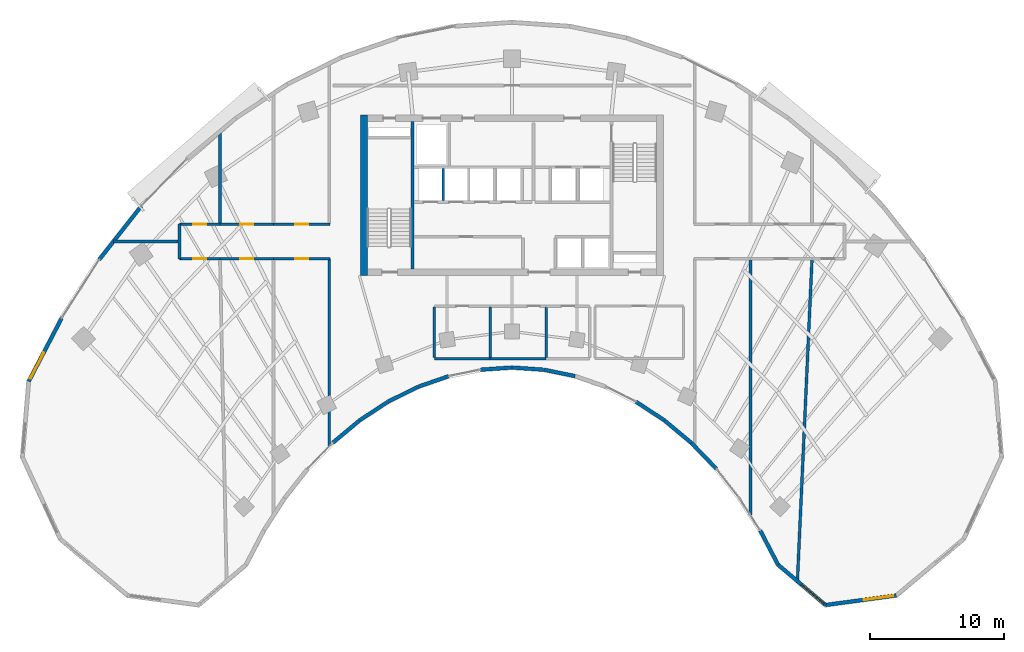
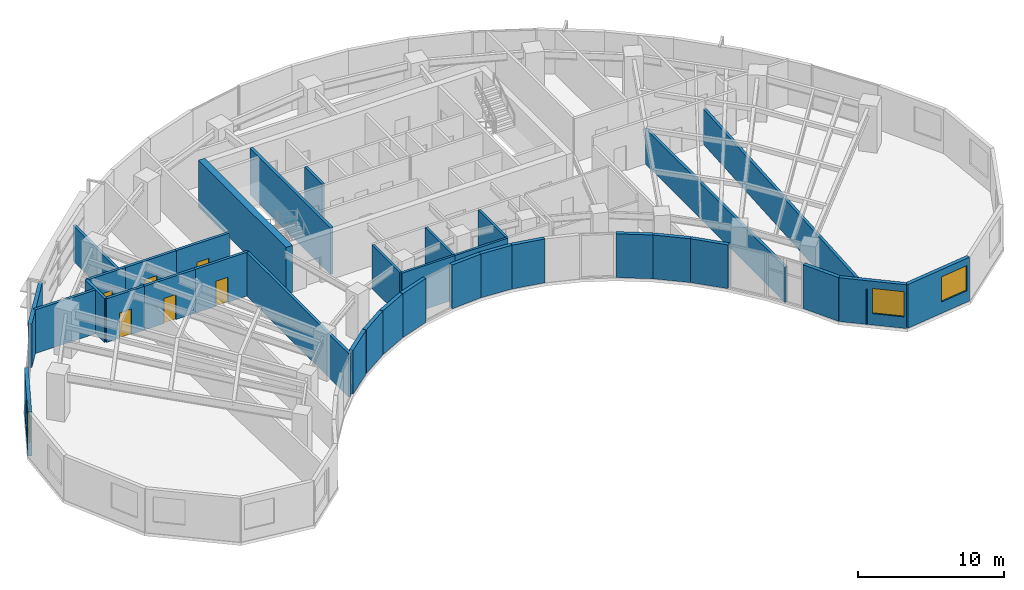
# One storey, part 8 of 14: 35 walls, 6 doors, 3 windows, 9 openings.
"""IFC4 building model written with IfcOpenShell, lengths in metres."""

from ifc_helpers import new_model, si_unit, direction, frame, frame_2d, origin, place, context, subcontext, project, spatial, rectangle, extrude, source, transform, mapped, material, layer, layer_set, type_object, type_shapes, element, fill, save


model = new_model("IFC4")

# Units and contexts
model_context = context("Model", 3, precision=1e-05, world=origin(), true_north=direction((0.0, 1.0)))
body_context = subcontext(model_context, "Body", "Model", "MODEL_VIEW")
ifc_project = project(units=[si_unit("LENGTHUNIT", "METRE"), si_unit("AREAUNIT", "SQUARE_METRE"), si_unit("VOLUMEUNIT", "CUBIC_METRE"), si_unit("PLANEANGLEUNIT", "RADIAN"), si_unit("MASSUNIT", "GRAM", prefix="KILO")], contexts=[model_context])

# Site, building, storey
site_placement = place(None, origin())
site = spatial("IfcSite", under=ifc_project, at=site_placement, CompositionType="ELEMENT")
building_placement = place(site_placement, origin())
building = spatial("IfcBuilding", under=site, at=building_placement, Name="Breltana Convention Tower", CompositionType="ELEMENT")
storey_placement = place(building_placement, frame((0.0, 0.0, 131.10009765625)))
storey = spatial("IfcBuildingStorey", under=building, at=storey_placement, Name="L31", CompositionType="ELEMENT", Elevation=131.10009765625)

# Walls
ifc_material_1 = material(Name="Concrete C60/75", Category="concrete")
ifc_layer_1 = layer(ifc_material_1, 0.5, Name="Concrete C60/75")
ifc_layer_set_1 = layer_set([ifc_layer_1], Name="Concrete C60/75")
wall_type_1 = type_object("IfcWallType", Name="SW-CORE-500", PredefinedType="SHEAR", material=ifc_layer_set_1)
shared_shape_1 = source(origin(), body_context, "Body", "SweptSolid", [
    extrude(rectangle(XDim=12.0, YDim=0.5, at=frame_2d((6.0, 0.0))), origin(), (0.0, 0.0, 1.0), 3.89990234375),
])
wall_1_placement = place(storey_placement, frame((36.949951171875, 60.199951171875, 0.0), z_axis=(0.0, 0.0, 1.0), x_axis=(0.0, 1.0, 0.0)))
element("IfcWall", 1, at=wall_1_placement, inside=storey, type_object=wall_type_1, Name="L31 West Core Shear Wall", PredefinedType="SHEAR", context=body_context, shape_type="MappedRepresentation", body=[
    mapped(shared_shape_1, transform((0.0, 0.0, 0.0), scale=1.0)),
])
ifc_material_2 = material(Name="Concrete C50/60", Category="concrete")
ifc_layer_2 = layer(ifc_material_2, 0.39990234375, Name="Concrete C50/60")
ifc_layer_set_2 = layer_set([ifc_layer_2], Name="Concrete C50/60")
wall_type_2 = type_object("IfcWallType", Name="SW-CORE-400", PredefinedType="SHEAR", material=ifc_layer_set_2)
shared_shape_2 = source(origin(), body_context, "Body", "SweptSolid", [
    extrude(rectangle(XDim=11.0, YDim=0.219970703125, at=frame_2d((5.5, 0.0))), origin(), (0.0, 0.0, 1.0), 3.89990234375),
])
wall_2_placement = place(storey_placement, frame((40.580078125, 60.699951171875, 0.0), z_axis=(0.0, 0.0, 1.0), x_axis=(0.0, 1.0, 0.0)))
element("IfcWall", 2, at=wall_2_placement, inside=storey, type_object=wall_type_2, Name="L31 Core West Stair Spine Wall", PredefinedType="SHEAR", context=body_context, shape_type="MappedRepresentation", body=[
    mapped(shared_shape_2, transform((0.0, 0.0, 0.0), scale=1.0)),
])

# Wall, opening, window
ifc_material_3 = material(Name="Limestone Buff Insulated Wall", Category="masonry")
ifc_layer_3 = layer(ifc_material_3, 0.280029296875, Name="Limestone Buff Insulated Wall")
ifc_layer_set_3 = layer_set([ifc_layer_3], Name="Limestone Buff Insulated Wall")
wall_type_3 = type_object("IfcWallType", Name="WL-EXT-NOSE-280", PredefinedType="SOLIDWALL", material=ifc_layer_set_3)
shared_shape_3 = source(origin(), body_context, "Body", "SweptSolid", [
    extrude(rectangle(XDim=5.32373046875, YDim=0.280029296875, at=frame_2d((2.661865234375, 0.0))), origin(), (0.0, 0.0, 1.0), 3.64990234375),
])
wall_3_placement = place(storey_placement, frame((76.685791015625, 36.321533203125, 0.0), z_axis=(0.0, 0.0, 1.0), x_axis=(-0.990931467223, -0.134368252451, 0.0)))
wall_3 = element("IfcWall", 3, at=wall_3_placement, inside=storey, type_object=wall_type_3, Name="L31 curved limestone nose wall E4", PredefinedType="SOLIDWALL", context=body_context, shape_type="MappedRepresentation", body=[
    mapped(shared_shape_3, transform((0.0, 0.0, 0.0), scale=1.0)),
])
opening_1_placement = place(wall_3_placement, frame((0.23095703125, 0.0, 0.949951171875)))
opening_1 = element("IfcOpeningElement", 4, at=opening_1_placement, cuts=wall_3, Name="Opening W-03", PredefinedType="OPENING", context=body_context, shape_type="SweptSolid", body=[
    extrude(rectangle(XDim=2.199951171875, YDim=2.10009765625, at=frame_2d((1.10009765625, 1.050048828125))), frame((0.0, 0.14990234375, 0.0), z_axis=(0.0, -1.0, 0.0), x_axis=(1.0, 0.0, 0.0)), (0.0, 0.0, 1.0), 0.300048828125),
])
ifc_material_4 = material(Name="Glass Low-E Insulated Window", Category="glass")
window_type = type_object("IfcWindowType", Name="WN-NOSE-2200X2100", PartitioningType="TRIPLE_PANEL_VERTICAL", PredefinedType="WINDOW", material=ifc_material_4)
shared_shape_4 = source(origin(), body_context, "Body", "SweptSolid", [
    extrude(rectangle(XDim=2.199951171875, YDim=2.10009765625, at=frame_2d((1.10009765625, 1.050048828125))), frame((0.0, 0.030029296875, 0.0), z_axis=(0.0, -1.0, 0.0), x_axis=(1.0, 0.0, 0.0)), (0.0, 0.0, 1.0), 0.06005859375),
])
type_shapes(window_type, [shared_shape_4])
window_1_placement = place(opening_1_placement, origin())
window_1 = element("IfcWindow", 5, at=window_1_placement, inside=storey, type_object=window_type, Name="L31 nose window E4", OverallHeight=2.10009765625, OverallWidth=2.199951171875, PartitioningType="TRIPLE_PANEL_VERTICAL", PredefinedType="WINDOW", context=body_context, shape_type="MappedRepresentation", body=[
    mapped(shared_shape_4, transform((0.0, 0.0, 0.0), scale=1.0)),
])
fill(opening_1, window_1)

shared_shape_5 = source(origin(), body_context, "Body", "SweptSolid", [
    extrude(rectangle(XDim=4.6591796875, YDim=0.280029296875, at=frame_2d((2.32958984375, 0.0))), origin(), (0.0, 0.0, 1.0), 3.64990234375),
])
wall_4_placement = place(storey_placement, frame((71.410400390625, 35.606201171875, 0.0), z_axis=(0.0, 0.0, 1.0), x_axis=(-0.761913458795, 0.647678841176, 0.0)))
wall_4 = element("IfcWall", 6, at=wall_4_placement, inside=storey, type_object=wall_type_3, Name="L31 curved limestone nose wall E5", PredefinedType="SOLIDWALL", context=body_context, shape_type="MappedRepresentation", body=[
    mapped(shared_shape_5, transform((0.0, 0.0, 0.0), scale=1.0)),
])
opening_2_placement = place(wall_4_placement, frame((0.159912109375, 0.0, 0.949951171875)))
opening_2 = element("IfcOpeningElement", 7, at=opening_2_placement, cuts=wall_4, Name="Opening W-03", PredefinedType="OPENING", context=body_context, shape_type="SweptSolid", body=[
    extrude(rectangle(XDim=2.199951171875, YDim=2.10009765625, at=frame_2d((1.10009765625, 1.050048828125))), frame((0.0, 0.14990234375, 0.0), z_axis=(0.0, -1.0, 0.0), x_axis=(1.0, 0.0, 0.0)), (0.0, 0.0, 1.0), 0.300048828125),
])
window_2_placement = place(opening_2_placement, origin())
window_2 = element("IfcWindow", 8, at=window_2_placement, inside=storey, type_object=window_type, Name="L31 nose window E5", OverallHeight=2.10009765625, OverallWidth=2.199951171875, PartitioningType="TRIPLE_PANEL_VERTICAL", PredefinedType="WINDOW", context=body_context, shape_type="MappedRepresentation", body=[
    mapped(shared_shape_4, transform((0.0, 0.0, 0.0), scale=1.0)),
])
fill(opening_2, window_2)

# Walls
shared_shape_6 = source(origin(), body_context, "Body", "SweptSolid", [
    extrude(rectangle(XDim=2.8798828125, YDim=0.280029296875, at=frame_2d((1.43994140625, 0.0))), origin(), (0.0, 0.0, 1.0), 3.64990234375),
])
wall_5_placement = place(storey_placement, frame((67.860595703125, 38.623779296875, 0.0), z_axis=(0.0, 0.0, 1.0), x_axis=(-0.461769086658, 0.887000175088, 0.0)))
element("IfcWall", 9, at=wall_5_placement, inside=storey, type_object=wall_type_3, Name="L31 curved limestone nose wall E6", PredefinedType="SOLIDWALL", context=body_context, shape_type="MappedRepresentation", body=[
    mapped(shared_shape_6, transform((0.0, 0.0, 0.0), scale=1.0)),
])
shared_shape_7 = source(origin(), body_context, "Body", "SweptSolid", [
    extrude(rectangle(XDim=2.679931640625, YDim=0.280029296875, at=frame_2d((1.33984375, 0.0))), origin(), (0.0, 0.0, 1.0), 3.64990234375),
])
wall_6_placement = place(storey_placement, frame((63.260009765625, 45.780029296875, 0.0), z_axis=(0.0, 0.0, 1.0), x_axis=(-0.694561996568, 0.719432855049, 0.0)))
element("IfcWall", 10, at=wall_6_placement, inside=storey, type_object=wall_type_3, Name="L31 curved limestone nose wall E7", PredefinedType="SOLIDWALL", context=body_context, shape_type="MappedRepresentation", body=[
    mapped(shared_shape_7, transform((0.0, 0.0, 0.0), scale=1.0)),
])
shared_shape_8 = source(origin(), body_context, "Body", "SweptSolid", [
    extrude(rectangle(XDim=2.600830078125, YDim=0.280029296875, at=frame_2d((1.30029296875, 0.0))), origin(), (0.0, 0.0, 1.0), 3.64990234375),
])
for number, where, z_axis, x_axis, name in (
    (11, (61.384521484375, 47.72119140625, 0.0), (0.0, 0.0, 1.0), (-0.76796730295, 0.640489048775, 0.0), "L31 curved limestone nose wall E8"),
    (12, (36.61279296875, 49.386962890625, 0.0), (0.0, 0.0, 1.0), (-0.76796730295, -0.640489048775, 0.0), "L31 curved limestone nose wall E17"),
):
    element("IfcWall", number, at=place(storey_placement, frame(where, z_axis=z_axis, x_axis=x_axis)), inside=storey, type_object=wall_type_3, Name=name, PredefinedType="SOLIDWALL", context=body_context, shape_type="MappedRepresentation", body=[
        mapped(shared_shape_8, transform((0.0, 0.0, 0.0), scale=1.0)),
    ])
shared_shape_9 = source(origin(), body_context, "Body", "SweptSolid", [
    extrude(rectangle(XDim=2.46240234375, YDim=0.280029296875, at=frame_2d((1.231201171875, 0.0))), origin(), (0.0, 0.0, 1.0), 3.64990234375),
])
wall_7_placement = place(storey_placement, frame((40.96728515625, 51.890625, 0.0), z_axis=(0.0, 0.0, 1.0), x_axis=(-0.8959882207, -0.444077817917, 0.0)))
element("IfcWall", 13, at=wall_7_placement, inside=storey, type_object=wall_type_3, Name="L31 curved limestone nose wall E15", PredefinedType="SOLIDWALL", context=body_context, shape_type="MappedRepresentation", body=[
    mapped(shared_shape_9, transform((0.0, 0.0, 0.0), scale=1.0)),
])
shared_shape_10 = source(origin(), body_context, "Body", "SweptSolid", [
    extrude(rectangle(XDim=2.41064453125, YDim=0.280029296875, at=frame_2d((1.205322265625, 0.0))), origin(), (0.0, 0.0, 1.0), 3.64990234375),
])
wall_8_placement = place(storey_placement, frame((43.26611328125, 52.688720703125, 0.0), z_axis=(0.0, 0.0, 1.0), x_axis=(-0.944880068161, -0.327416640982, 0.0)))
element("IfcWall", 14, at=wall_8_placement, inside=storey, type_object=wall_type_3, Name="L31 curved limestone nose wall E14", PredefinedType="SOLIDWALL", context=body_context, shape_type="MappedRepresentation", body=[
    mapped(shared_shape_10, transform((0.0, 0.0, 0.0), scale=1.0)),
])
shared_shape_11 = source(origin(), body_context, "Body", "SweptSolid", [
    extrude(rectangle(XDim=2.373779296875, YDim=0.280029296875, at=frame_2d((1.18701171875, 0.0))), origin(), (0.0, 0.0, 1.0), 3.64990234375),
])
wall_9_placement = place(storey_placement, frame((52.711181640625, 52.695068359375, 0.0), z_axis=(0.0, 0.0, 1.0), x_axis=(-0.979619827472, 0.200860632341, 0.0)))
element("IfcWall", 15, at=wall_9_placement, inside=storey, type_object=wall_type_3, Name="L31 curved limestone nose wall E11", PredefinedType="SOLIDWALL", context=body_context, shape_type="MappedRepresentation", body=[
    mapped(shared_shape_11, transform((0.0, 0.0, 0.0), scale=1.0)),
])
shared_shape_12 = source(origin(), body_context, "Body", "SweptSolid", [
    extrude(rectangle(XDim=2.35498046875, YDim=0.280029296875, at=frame_2d((1.177490234375, 0.0))), origin(), (0.0, 0.0, 1.0), 3.64990234375),
])
for number, where, z_axis, x_axis, name in (
    (16, (50.36181640625, 53.175048828125, 0.0), (0.0, 0.0, 1.0), (-0.997699017577, 0.067798748701, 0.0), "L31 curved limestone nose wall E12"),
    (17, (47.98779296875, 53.334716796875, 0.0), (0.0, 0.0, 1.0), (-0.997699017577, -0.067798748701, 0.0), "L31 curved limestone nose wall E13"),
):
    element("IfcWall", number, at=place(storey_placement, frame(where, z_axis=z_axis, x_axis=x_axis)), inside=storey, type_object=wall_type_3, Name=name, PredefinedType="SOLIDWALL", context=body_context, shape_type="MappedRepresentation", body=[
        mapped(shared_shape_12, transform((0.0, 0.0, 0.0), scale=1.0)),
    ])
shared_shape_13 = source(origin(), body_context, "Body", "SweptSolid", [
    extrude(rectangle(XDim=2.52734375, YDim=0.280029296875, at=frame_2d((1.263671875, 0.0))), origin(), (0.0, 0.0, 1.0), 3.64990234375),
])
for number, where, z_axis, x_axis, name in (
    (18, (59.37060546875, 49.3994140625, 0.0), (0.0, 0.0, 1.0), (-0.836011905051, 0.548711303523, 0.0), "L31 curved limestone nose wall E9"),
    (19, (38.7421875, 50.7861328125, 0.0), (0.0, 0.0, 1.0), (-0.836011905051, -0.548711303523, 0.0), "L31 curved limestone nose wall E16"),
):
    element("IfcWall", number, at=place(storey_placement, frame(where, z_axis=z_axis, x_axis=x_axis)), inside=storey, type_object=wall_type_3, Name=name, PredefinedType="SOLIDWALL", context=body_context, shape_type="MappedRepresentation", body=[
        mapped(shared_shape_13, transform((0.0, 0.0, 0.0), scale=1.0)),
    ])

# Wall, opening, window
shared_shape_14 = source(origin(), body_context, "Body", "SweptSolid", [
    extrude(rectangle(XDim=5.315185546875, YDim=0.280029296875, at=frame_2d((2.65771484375, 0.0))), origin(), (0.0, 0.0, 1.0), 3.64990234375),
])
wall_10_placement = place(storey_placement, frame((11.92236328125, 52.305419921875, 0.0), z_axis=(0.0, 0.0, 1.0), x_axis=(0.461760527822, 0.887004630735, 0.0)))
wall_10 = element("IfcWall", 20, at=wall_10_placement, inside=storey, type_object=wall_type_3, Name="L31 curved limestone nose wall W7", PredefinedType="SOLIDWALL", context=body_context, shape_type="MappedRepresentation", body=[
    mapped(shared_shape_14, transform((0.0, 0.0, 0.0), scale=1.0)),
])
opening_3_placement = place(wall_10_placement, frame((0.228759765625, 0.0, 0.949951171875)))
opening_3 = element("IfcOpeningElement", 21, at=opening_3_placement, cuts=wall_10, Name="Opening W-03", PredefinedType="OPENING", context=body_context, shape_type="SweptSolid", body=[
    extrude(rectangle(XDim=2.199951171875, YDim=2.10009765625, at=frame_2d((1.10009765625, 1.050048828125))), frame((0.0, 0.14990234375, 0.0), z_axis=(0.0, -1.0, 0.0), x_axis=(1.0, 0.0, 0.0)), (0.0, 0.0, 1.0), 0.300048828125),
])
window_3_placement = place(opening_3_placement, origin())
window_3 = element("IfcWindow", 22, at=window_3_placement, inside=storey, type_object=window_type, Name="L31 nose window W7", OverallHeight=2.10009765625, OverallWidth=2.199951171875, PartitioningType="TRIPLE_PANEL_VERTICAL", PredefinedType="WINDOW", context=body_context, shape_type="MappedRepresentation", body=[
    mapped(shared_shape_4, transform((0.0, 0.0, 0.0), scale=1.0)),
])
fill(opening_3, window_3)

# Walls
shared_shape_15 = source(origin(), body_context, "Body", "SweptSolid", [
    extrude(rectangle(XDim=5.05810546875, YDim=0.280029296875, at=frame_2d((2.529052734375, 0.0))), origin(), (0.0, 0.0, 1.0), 3.64990234375),
])
wall_11_placement = place(storey_placement, frame((17.1884765625, 61.400390625, 0.0), z_axis=(0.0, 0.0, 1.0), x_axis=(0.618145507434, 0.786063694391, 0.0)))
element("IfcWall", 23, at=wall_11_placement, inside=storey, type_object=wall_type_3, Name="L31 curved limestone nose wall E20", PredefinedType="SOLIDWALL", context=body_context, shape_type="MappedRepresentation", body=[
    mapped(shared_shape_15, transform((0.0, 0.0, 0.0), scale=1.0)),
])
ifc_material_5 = material(Name="Autoclaved Aerated Concrete Block", Category="concrete")
ifc_layer_4 = layer(ifc_material_5, 0.199951171875, Name="Autoclaved Aerated Concrete Block")
ifc_layer_set_4 = layer_set([ifc_layer_4], Name="Autoclaved Aerated Concrete Block")
wall_type_4 = type_object("IfcWallType", Name="WL-SHAFT-200", PredefinedType="SOLIDWALL", material=ifc_layer_set_4)
shared_shape_16 = source(origin(), body_context, "Body", "SweptSolid", [
    extrude(rectangle(XDim=2.39990234375, YDim=0.199951171875, at=frame_2d((1.199951171875, 0.0))), origin(), (0.0, 0.0, 1.0), 3.64990234375),
])
wall_12_placement = place(storey_placement, frame((42.8701171875, 65.800048828125, 0.0), z_axis=(0.0, 0.0, 1.0), x_axis=(0.0, 1.0, 0.0)))
element("IfcWall", 24, at=wall_12_placement, inside=storey, type_object=wall_type_4, Name="L31 interior partition W-L31-SH-M-DIV1", PredefinedType="SOLIDWALL", context=body_context, shape_type="MappedRepresentation", body=[
    mapped(shared_shape_16, transform((0.0, 0.0, 0.0), scale=1.0)),
])
ifc_material_6 = material(Name="Cement Board Wet-Area Partition")
ifc_layer_5 = layer(ifc_material_6, 0.175048828125, Name="Cement Board Wet-Area Partition")
ifc_layer_set_5 = layer_set([ifc_layer_5], Name="Cement Board Wet-Area Partition")
wall_type_5 = type_object("IfcWallType", Name="WL-WET-175", PredefinedType="PARTITIONING", material=ifc_layer_set_5)
shared_shape_17 = source(origin(), body_context, "Body", "SweptSolid", [
    extrude(rectangle(XDim=4.176025390625, YDim=0.175048828125, at=frame_2d((2.087890625, 0.0))), origin(), (0.0, 0.0, 1.0), 3.64990234375),
])
for number, where, z_axis, x_axis, name in (
    (25, (42.199951171875, 54.0, 0.0), (0.0, 0.0, 1.0), (1.0, 0.0, 0.0), "L31 interior partition W-L31-WCM-S"),
    (26, (46.3759765625, 54.0, 0.0), (0.0, 0.0, 1.0), (1.0, 0.0, 0.0), "L31 interior partition W-L31-WCF-S"),
):
    element("IfcWall", number, at=place(storey_placement, frame(where, z_axis=z_axis, x_axis=x_axis)), inside=storey, type_object=wall_type_5, Name=name, PredefinedType="PARTITIONING", context=body_context, shape_type="MappedRepresentation", body=[
        mapped(shared_shape_17, transform((0.0, 0.0, 0.0), scale=1.0)),
    ])
shared_shape_18 = source(origin(), body_context, "Body", "SweptSolid", [
    extrude(rectangle(XDim=3.7626953125, YDim=0.175048828125, at=frame_2d((1.88134765625, 0.0))), origin(), (0.0, 0.0, 1.0), 3.64990234375),
])
for number, where, z_axis, x_axis, name in (
    (27, (42.199951171875, 54.07861328125, 0.0), (0.0, 0.0, 1.0), (0.0, 1.0, 0.0), "L31 interior partition W-L31-WCM-W"),
    (28, (46.3759765625, 54.07861328125, 0.0), (0.0, 0.0, 1.0), (0.0, 1.0, 0.0), "L31 interior partition W-L31-WCM-E"),
    (29, (50.552001953125, 54.07861328125, 0.0), (0.0, 0.0, 1.0), (0.0, 1.0, 0.0), "L31 interior partition W-L31-WCF-E"),
):
    element("IfcWall", number, at=place(storey_placement, frame(where, z_axis=z_axis, x_axis=x_axis)), inside=storey, type_object=wall_type_5, Name=name, PredefinedType="PARTITIONING", context=body_context, shape_type="MappedRepresentation", body=[
        mapped(shared_shape_18, transform((0.0, 0.0, 0.0), scale=1.0)),
    ])

# Wall, opening, door
ifc_material_7 = material(Name="Autoclaved Aerated Masonry Blockwork", Category="masonry")
ifc_layer_6 = layer(ifc_material_7, 0.2099609375, Name="Autoclaved Aerated Masonry Blockwork")
ifc_layer_set_6 = layer_set([ifc_layer_6], Name="Autoclaved Aerated Masonry Blockwork")
wall_type_6 = type_object("IfcWallType", Name="WL-PART-200", PredefinedType="PARTITIONING", material=ifc_layer_set_6)
shared_shape_19 = source(origin(), body_context, "Body", "SweptSolid", [
    extrude(rectangle(XDim=3.02001953125, YDim=0.2099609375, at=frame_2d((1.510009765625, 0.0))), origin(), (0.0, 0.0, 1.0), 3.64990234375),
])
wall_13_placement = place(storey_placement, frame((23.179931640625, 64.0400390625, 0.0), z_axis=(0.0, 0.0, 1.0), x_axis=(1.0, 0.0, 0.0)))
wall_13 = element("IfcWall", 30, at=wall_13_placement, inside=storey, type_object=wall_type_6, Name="L31 interior partition W-L31-ZWN1-D", PredefinedType="PARTITIONING", context=body_context, shape_type="MappedRepresentation", body=[
    mapped(shared_shape_19, transform((0.0, 0.0, 0.0), scale=1.0)),
])
opening_4_placement = place(wall_13_placement, frame((1.034912109375, 0.0, 0.0)))
opening_4 = element("IfcOpeningElement", 31, at=opening_4_placement, cuts=wall_13, Name="Opening D-17", PredefinedType="OPENING", context=body_context, shape_type="SweptSolid", body=[
    extrude(rectangle(XDim=0.949951171875, YDim=2.10009765625, at=frame_2d((0.47509765625, 1.050048828125))), frame((0.0, 0.114990234375, 0.0), z_axis=(0.0, -1.0, 0.0), x_axis=(1.0, 0.0, 0.0)), (0.0, 0.0, 1.0), 0.22998046875),
])
ifc_material_8 = material(Name="Timber Oak Veneer Door", Category="wood")
door_type = type_object("IfcDoorType", Name="DR-INT-950", OperationType="NOTDEFINED", PredefinedType="DOOR", material=ifc_material_8)
shared_shape_20 = source(origin(), body_context, "Body", "SweptSolid", [
    extrude(rectangle(XDim=0.949951171875, YDim=2.10009765625, at=frame_2d((0.47509765625, 1.050048828125))), frame((0.0, 0.02490234375, 0.0), z_axis=(0.0, -1.0, 0.0), x_axis=(1.0, 0.0, 0.0)), (0.0, 0.0, 1.0), 0.050048828125),
])
type_shapes(door_type, [shared_shape_20])
door_1_placement = place(opening_4_placement, origin())
door_1 = element("IfcDoor", 32, at=door_1_placement, inside=storey, type_object=door_type, Name="L31 interior door D-L31-ZWN1", OperationType="SINGLE_SWING_RIGHT", OverallHeight=2.10009765625, OverallWidth=0.949951171875, PredefinedType="DOOR", context=body_context, shape_type="MappedRepresentation", body=[
    mapped(shared_shape_20, transform((0.0, 0.0, 0.0), scale=1.0)),
])
fill(opening_4, door_1)

wall_14_placement = place(storey_placement, frame((23.179931640625, 61.4599609375, 0.0), z_axis=(0.0, 0.0, 1.0), x_axis=(1.0, 0.0, 0.0)))
wall_14 = element("IfcWall", 33, at=wall_14_placement, inside=storey, type_object=wall_type_6, Name="L31 interior partition W-L31-ZWS1-D", PredefinedType="PARTITIONING", context=body_context, shape_type="MappedRepresentation", body=[
    mapped(shared_shape_19, transform((0.0, 0.0, 0.0), scale=1.0)),
])
opening_5_placement = place(wall_14_placement, frame((1.034912109375, 0.0, 0.0)))
opening_5 = element("IfcOpeningElement", 34, at=opening_5_placement, cuts=wall_14, Name="Opening D-17", PredefinedType="OPENING", context=body_context, shape_type="SweptSolid", body=[
    extrude(rectangle(XDim=0.949951171875, YDim=2.10009765625, at=frame_2d((0.47509765625, 1.050048828125))), frame((0.0, 0.114990234375, 0.0), z_axis=(0.0, -1.0, 0.0), x_axis=(1.0, 0.0, 0.0)), (0.0, 0.0, 1.0), 0.22998046875),
])
door_2_placement = place(opening_5_placement, origin())
door_2 = element("IfcDoor", 35, at=door_2_placement, inside=storey, type_object=door_type, Name="L31 interior door D-L31-ZWS1", OperationType="SINGLE_SWING_LEFT", OverallHeight=2.10009765625, OverallWidth=0.949951171875, PredefinedType="DOOR", context=body_context, shape_type="MappedRepresentation", body=[
    mapped(shared_shape_20, transform((0.0, 0.0, 0.0), scale=1.0)),
])
fill(opening_5, door_2)

# Wall
shared_shape_21 = source(origin(), body_context, "Body", "SweptSolid", [
    extrude(rectangle(XDim=6.89892578125, YDim=0.2099609375, at=frame_2d((3.449462890625, 0.0))), origin(), (0.0, 0.0, 1.0), 2.94189453125),
])
wall_15_placement = place(storey_placement, frame((26.199951171875, 64.06005859375, 0.0), z_axis=(0.0, 0.0, 1.0), x_axis=(0.0, 1.0, 0.0)))
element("IfcWall", 36, at=wall_15_placement, inside=storey, type_object=wall_type_6, Name="L31 interior partition W-L31-ZWN1-E", PredefinedType="PARTITIONING", context=body_context, shape_type="MappedRepresentation", body=[
    mapped(shared_shape_21, transform((0.0, 0.0, 0.0), scale=1.0)),
])

# Wall, opening, door
shared_shape_22 = source(origin(), body_context, "Body", "SweptSolid", [
    extrude(rectangle(XDim=4.0, YDim=0.2099609375, at=frame_2d((2.0, 0.0))), origin(), (0.0, 0.0, 1.0), 3.64990234375),
])
wall_16_placement = place(storey_placement, frame((26.199951171875, 64.0400390625, 0.0), z_axis=(0.0, 0.0, 1.0), x_axis=(1.0, 0.0, 0.0)))
wall_16 = element("IfcWall", 37, at=wall_16_placement, inside=storey, type_object=wall_type_6, Name="L31 interior partition W-L31-ZWN2-D", PredefinedType="PARTITIONING", context=body_context, shape_type="MappedRepresentation", body=[
    mapped(shared_shape_22, transform((0.0, 0.0, 0.0), scale=1.0)),
])
opening_6_placement = place(wall_16_placement, frame((1.52490234375, 0.0, 0.0)))
opening_6 = element("IfcOpeningElement", 38, at=opening_6_placement, cuts=wall_16, Name="Opening D-17", PredefinedType="OPENING", context=body_context, shape_type="SweptSolid", body=[
    extrude(rectangle(XDim=0.949951171875, YDim=2.10009765625, at=frame_2d((0.47509765625, 1.050048828125))), frame((0.0, 0.114990234375, 0.0), z_axis=(0.0, -1.0, 0.0), x_axis=(1.0, 0.0, 0.0)), (0.0, 0.0, 1.0), 0.22998046875),
])
door_3_placement = place(opening_6_placement, origin())
door_3 = element("IfcDoor", 39, at=door_3_placement, inside=storey, type_object=door_type, Name="L31 interior door D-L31-ZWN2", OperationType="SINGLE_SWING_LEFT", OverallHeight=2.10009765625, OverallWidth=0.949951171875, PredefinedType="DOOR", context=body_context, shape_type="MappedRepresentation", body=[
    mapped(shared_shape_20, transform((0.0, 0.0, 0.0), scale=1.0)),
])
fill(opening_6, door_3)

wall_17_placement = place(storey_placement, frame((26.199951171875, 61.4599609375, 0.0), z_axis=(0.0, 0.0, 1.0), x_axis=(1.0, 0.0, 0.0)))
wall_17 = element("IfcWall", 40, at=wall_17_placement, inside=storey, type_object=wall_type_6, Name="L31 interior partition W-L31-ZWS2-D", PredefinedType="PARTITIONING", context=body_context, shape_type="MappedRepresentation", body=[
    mapped(shared_shape_22, transform((0.0, 0.0, 0.0), scale=1.0)),
])
opening_7_placement = place(wall_17_placement, frame((1.52490234375, 0.0, 0.0)))
opening_7 = element("IfcOpeningElement", 41, at=opening_7_placement, cuts=wall_17, Name="Opening D-17", PredefinedType="OPENING", context=body_context, shape_type="SweptSolid", body=[
    extrude(rectangle(XDim=0.949951171875, YDim=2.10009765625, at=frame_2d((0.47509765625, 1.050048828125))), frame((0.0, 0.114990234375, 0.0), z_axis=(0.0, -1.0, 0.0), x_axis=(1.0, 0.0, 0.0)), (0.0, 0.0, 1.0), 0.22998046875),
])
door_4_placement = place(opening_7_placement, origin())
door_4 = element("IfcDoor", 42, at=door_4_placement, inside=storey, type_object=door_type, Name="L31 interior door D-L31-ZWS2", OperationType="SINGLE_SWING_RIGHT", OverallHeight=2.10009765625, OverallWidth=0.949951171875, PredefinedType="DOOR", context=body_context, shape_type="MappedRepresentation", body=[
    mapped(shared_shape_20, transform((0.0, 0.0, 0.0), scale=1.0)),
])
fill(opening_7, door_4)

shared_shape_23 = source(origin(), body_context, "Body", "SweptSolid", [
    extrude(rectangle(XDim=4.199951171875, YDim=0.2099609375, at=frame_2d((2.10009765625, 0.0))), origin(), (0.0, 0.0, 1.0), 3.64990234375),
])
wall_18_placement = place(storey_placement, frame((30.199951171875, 64.0400390625, 0.0), z_axis=(0.0, 0.0, 1.0), x_axis=(1.0, 0.0, 0.0)))
wall_18 = element("IfcWall", 43, at=wall_18_placement, inside=storey, type_object=wall_type_6, Name="L31 interior partition W-L31-ZWN3-D", PredefinedType="PARTITIONING", context=body_context, shape_type="MappedRepresentation", body=[
    mapped(shared_shape_23, transform((0.0, 0.0, 0.0), scale=1.0)),
])
opening_8_placement = place(wall_18_placement, frame((1.625, 0.0, 0.0)))
opening_8 = element("IfcOpeningElement", 44, at=opening_8_placement, cuts=wall_18, Name="Opening D-17", PredefinedType="OPENING", context=body_context, shape_type="SweptSolid", body=[
    extrude(rectangle(XDim=0.949951171875, YDim=2.10009765625, at=frame_2d((0.47509765625, 1.050048828125))), frame((0.0, 0.114990234375, 0.0), z_axis=(0.0, -1.0, 0.0), x_axis=(1.0, 0.0, 0.0)), (0.0, 0.0, 1.0), 0.22998046875),
])
door_5_placement = place(opening_8_placement, origin())
door_5 = element("IfcDoor", 45, at=door_5_placement, inside=storey, type_object=door_type, Name="L31 interior door D-L31-ZWN3", OperationType="SINGLE_SWING_RIGHT", OverallHeight=2.10009765625, OverallWidth=0.949951171875, PredefinedType="DOOR", context=body_context, shape_type="MappedRepresentation", body=[
    mapped(shared_shape_20, transform((0.0, 0.0, 0.0), scale=1.0)),
])
fill(opening_8, door_5)

wall_19_placement = place(storey_placement, frame((30.199951171875, 61.4599609375, 0.0), z_axis=(0.0, 0.0, 1.0), x_axis=(1.0, 0.0, 0.0)))
wall_19 = element("IfcWall", 46, at=wall_19_placement, inside=storey, type_object=wall_type_6, Name="L31 interior partition W-L31-ZWS3-D", PredefinedType="PARTITIONING", context=body_context, shape_type="MappedRepresentation", body=[
    mapped(shared_shape_23, transform((0.0, 0.0, 0.0), scale=1.0)),
])
opening_9_placement = place(wall_19_placement, frame((1.625, 0.0, 0.0)))
opening_9 = element("IfcOpeningElement", 47, at=opening_9_placement, cuts=wall_19, Name="Opening D-17", PredefinedType="OPENING", context=body_context, shape_type="SweptSolid", body=[
    extrude(rectangle(XDim=0.949951171875, YDim=2.10009765625, at=frame_2d((0.47509765625, 1.050048828125))), frame((0.0, 0.114990234375, 0.0), z_axis=(0.0, -1.0, 0.0), x_axis=(1.0, 0.0, 0.0)), (0.0, 0.0, 1.0), 0.22998046875),
])
door_6_placement = place(opening_9_placement, origin())
door_6 = element("IfcDoor", 48, at=door_6_placement, inside=storey, type_object=door_type, Name="L31 interior door D-L31-ZWS3", OperationType="SINGLE_SWING_LEFT", OverallHeight=2.10009765625, OverallWidth=0.949951171875, PredefinedType="DOOR", context=body_context, shape_type="MappedRepresentation", body=[
    mapped(shared_shape_20, transform((0.0, 0.0, 0.0), scale=1.0)),
])
fill(opening_9, door_6)

# Walls
shared_shape_24 = source(origin(), body_context, "Body", "SweptSolid", [
    extrude(rectangle(XDim=19.103271484375, YDim=0.2099609375, at=frame_2d((9.5517578125, 0.0))), origin(), (0.0, 0.0, 1.0), 2.94189453125),
])
wall_20_placement = place(storey_placement, frame((65.800048828125, 42.336669921875, 0.0), z_axis=(0.0, 0.0, 1.0), x_axis=(0.0, 1.0, 0.0)))
element("IfcWall", 49, at=wall_20_placement, inside=storey, type_object=wall_type_6, Name="L31 interior partition W-L31-ZES1-E", PredefinedType="PARTITIONING", context=body_context, shape_type="MappedRepresentation", body=[
    mapped(shared_shape_24, transform((0.0, 0.0, 0.0), scale=1.0)),
])
shared_shape_25 = source(origin(), body_context, "Body", "SweptSolid", [
    extrude(rectangle(XDim=13.987548828125, YDim=0.2099609375, at=frame_2d((6.99365234375, 0.0))), origin(), (0.0, 0.0, 1.0), 3.64990234375),
])
wall_21_placement = place(storey_placement, frame((34.360107421875, 47.472412109375, 0.0), z_axis=(0.0, 0.0, 1.0), x_axis=(0.0, 1.0, 0.0)))
element("IfcWall", 50, at=wall_21_placement, inside=storey, type_object=wall_type_6, Name="L31 interior partition W-L31-ZODD-WC", PredefinedType="PARTITIONING", context=body_context, shape_type="MappedRepresentation", body=[
    mapped(shared_shape_25, transform((0.0, 0.0, 0.0), scale=1.0)),
])
shared_shape_26 = source(origin(), body_context, "Body", "SweptSolid", [
    extrude(rectangle(XDim=24.22412109375, YDim=0.2099609375, at=frame_2d((12.112060546875, 0.0))), origin(), (0.0, 0.0, 1.0), 2.94189453125),
])
wall_22_placement = place(storey_placement, frame((69.30224609375, 37.24072265625, 0.0), z_axis=(0.0, 0.0, 1.0), x_axis=(0.045312570313, 0.998972857975, 0.0)))
element("IfcWall", 51, at=wall_22_placement, inside=storey, type_object=wall_type_6, Name="L31 interior partition W-L31-ZES2-E", PredefinedType="PARTITIONING", context=body_context, shape_type="MappedRepresentation", body=[
    mapped(shared_shape_26, transform((0.0, 0.0, 0.0), scale=1.0)),
])
shared_shape_27 = source(origin(), body_context, "Body", "SweptSolid", [
    extrude(rectangle(XDim=2.6201171875, YDim=0.2099609375, at=frame_2d((1.31005859375, 0.0))), origin(), (0.0, 0.0, 1.0), 3.64990234375),
])
wall_23_placement = place(storey_placement, frame((23.179931640625, 61.43994140625, 0.0), z_axis=(0.0, 0.0, 1.0), x_axis=(0.0, 1.0, 0.0)))
element("IfcWall", 52, at=wall_23_placement, inside=storey, type_object=wall_type_6, Name="L31 interior partition W-L31-ZFW-CAP", PredefinedType="PARTITIONING", context=body_context, shape_type="MappedRepresentation", body=[
    mapped(shared_shape_27, transform((0.0, 0.0, 0.0), scale=1.0)),
])
shared_shape_28 = source(origin(), body_context, "Body", "SweptSolid", [
    extrude(rectangle(XDim=4.91748046875, YDim=0.2099609375, at=frame_2d((2.458740234375, 0.0))), origin(), (0.0, 0.0, 1.0), 3.64990234375),
])
wall_24_placement = place(storey_placement, frame((18.262451171875, 62.75, 0.0), z_axis=(0.0, 0.0, 1.0), x_axis=(1.0, 0.0, 0.0)))
element("IfcWall", 53, at=wall_24_placement, inside=storey, type_object=wall_type_6, Name="L31 interior partition W-L31-ZFW-EXT", PredefinedType="PARTITIONING", context=body_context, shape_type="MappedRepresentation", body=[
    mapped(shared_shape_28, transform((0.0, 0.0, 0.0), scale=1.0)),
])

save(model, "model.ifc")
